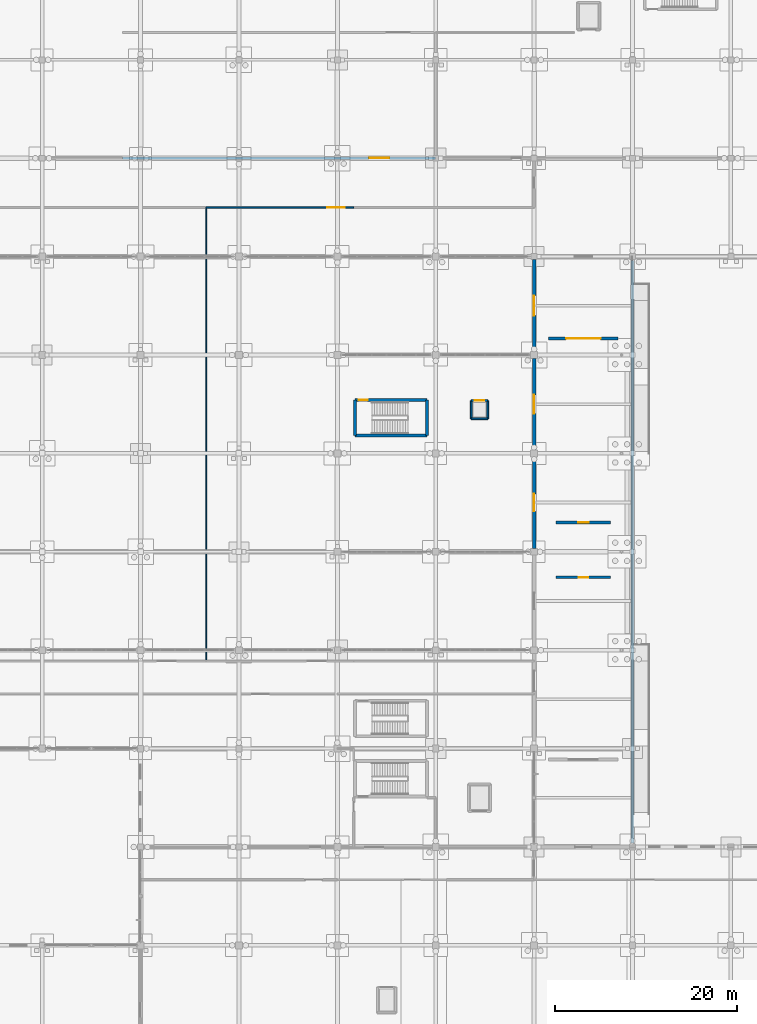
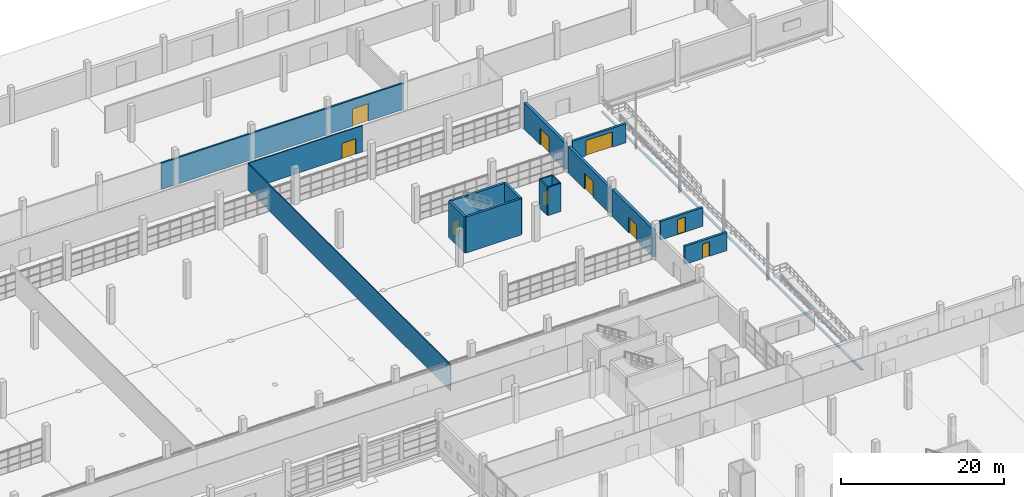
# One storey, part 113 of 138: 18 walls, 10 doors, 10 openings.
"""IFC4 building model written with IfcOpenShell, lengths in metres."""

from ifc_helpers import new_model, si_unit, direction, frame, frame_2d, origin, place, context, subcontext, project, spatial, rectangle, extrude, material, layer, layer_set, type_object, element, fill, save


model = new_model("IFC4")

# Units and contexts
model_context = context("Model", 3, precision=1e-05, world=origin(), true_north=direction((0.0, 1.0)))
body_context = subcontext(model_context, "Body", "Model", "MODEL_VIEW")
ifc_project = project(units=[si_unit("LENGTHUNIT", "METRE"), si_unit("AREAUNIT", "SQUARE_METRE"), si_unit("VOLUMEUNIT", "CUBIC_METRE"), si_unit("PLANEANGLEUNIT", "RADIAN"), si_unit("MASSUNIT", "GRAM", prefix="KILO")], contexts=[model_context])

# Site, building, storey
site_placement = place(None, origin())
site = spatial("IfcSite", under=ifc_project, at=site_placement, CompositionType="ELEMENT")
building_placement = place(site_placement, origin())
building = spatial("IfcBuilding", under=site, at=building_placement, Name="Zwinboog Wholesale Market", CompositionType="ELEMENT")
storey_placement = place(building_placement, origin())
storey = spatial("IfcBuildingStorey", under=building, at=storey_placement, Name="L00", CompositionType="ELEMENT", Elevation=0.0)

# Wall, opening, door
ifc_material_1 = material(Name="Precast concrete C45/55", Category="concrete")
ifc_layer_1 = layer(ifc_material_1, 0.3701171875)
ifc_layer_set_1 = layer_set([ifc_layer_1], Name="Precast concrete C45/55")
wall_type_1 = type_object("IfcWallType", Name="WT-EW-370", PredefinedType="STANDARD", material=ifc_layer_set_1)
wall_1_placement = place(storey_placement, frame((172.800048828125, 75.969970703125, 0.0), z_axis=(0.0, 0.0, 1.0), x_axis=(0.0, 1.0, 0.0)))
wall_1 = element("IfcWall", 1, at=wall_1_placement, inside=storey, type_object=wall_type_1, Name="EW-01 (WL-EW-L00-064)", PredefinedType="STANDARD", context=body_context, shape_type="SweptSolid", body=[
    extrude(rectangle(XDim=10.06005859375, YDim=0.3701171875, at=frame_2d((5.030029296875, 0.0))), origin(), (0.0, 0.0, 1.0), 3.947998046875),
])
opening_1_placement = place(wall_1_placement, frame((4.0, 0.0, 0.0)))
opening_1 = element("IfcOpeningElement", 2, at=opening_1_placement, cuts=wall_1, Name="Opening EX-14", PredefinedType="OPENING", context=body_context, shape_type="SweptSolid", body=[
    extrude(rectangle(XDim=2.06005859375, YDim=2.39990234375, at=frame_2d((1.030029296875, 1.199951171875))), frame((0.0, 0.195068359375, 0.0), z_axis=(0.0, -1.0, 0.0), x_axis=(1.0, 0.0, 0.0)), (0.0, 0.0, 1.0), 0.39013671875),
])
ifc_material_2 = material(Name="Insulated powder-coated steel and aluminium door", Category="steel")
door_type_1 = type_object("IfcDoorType", Name="EDT-EX-206", OperationType="DOUBLE_DOOR_SINGLE_SWING", PredefinedType="DOOR", material=ifc_material_2)
door_1_placement = place(opening_1_placement, frame((2.06005859375, 0.0, 0.0), z_axis=(0.0, 0.0, 1.0), x_axis=(-1.0, 0.0, 0.0)))
door_1 = element("IfcDoor", 3, at=door_1_placement, inside=storey, type_object=door_type_1, Name="Pedestrian Exit Door EX-14", OperationType="DOUBLE_DOOR_SINGLE_SWING", OverallHeight=2.39990234375, OverallWidth=2.06005859375, PredefinedType="DOOR", context=body_context, shape_type="SweptSolid", body=[
    extrude(rectangle(XDim=2.06005859375, YDim=2.39990234375, at=frame_2d((1.030029296875, 1.199951171875))), frame((0.0, 0.02490234375, 0.0), z_axis=(0.0, -1.0, 0.0), x_axis=(1.0, 0.0, 0.0)), (0.0, 0.0, 1.0), 0.050048828125),
])
fill(opening_1, door_1)

ifc_layer_2 = layer(ifc_material_1, 0.389892578125)
ifc_layer_set_2 = layer_set([ifc_layer_2], Name="Precast concrete C45/55")
wall_type_2 = type_object("IfcWallType", Name="WT-EW-390", PredefinedType="STANDARD", material=ifc_layer_set_2)
wall_2_placement = place(storey_placement, frame((172.800048828125, 65.169921875, 0.0), z_axis=(0.0, 0.0, 1.0), x_axis=(0.0, 1.0, 0.0)))
wall_2 = element("IfcWall", 4, at=wall_2_placement, inside=storey, type_object=wall_type_2, Name="EW-02 (WL-EW-L00-063)", PredefinedType="STANDARD", context=body_context, shape_type="SweptSolid", body=[
    extrude(rectangle(XDim=10.06005859375, YDim=0.389892578125, at=frame_2d((5.030029296875, 0.0))), origin(), (0.0, 0.0, 1.0), 4.097900390625),
])
opening_2_placement = place(wall_2_placement, frame((4.070068359375, 0.0, 0.0)))
opening_2 = element("IfcOpeningElement", 5, at=opening_2_placement, cuts=wall_2, Name="Opening EX-13", PredefinedType="OPENING", context=body_context, shape_type="SweptSolid", body=[
    extrude(rectangle(XDim=1.919921875, YDim=2.35009765625, at=frame_2d((0.9599609375, 1.175048828125))), frame((0.0, 0.204833984375, 0.0), z_axis=(0.0, -1.0, 0.0), x_axis=(1.0, 0.0, 0.0)), (0.0, 0.0, 1.0), 0.409912109375),
])
door_type_2 = type_object("IfcDoorType", Name="EDT-EX-192", OperationType="DOUBLE_DOOR_SINGLE_SWING", PredefinedType="DOOR", material=ifc_material_2)
door_2_placement = place(opening_2_placement, frame((1.919921875, 0.0, 0.0), z_axis=(0.0, 0.0, 1.0), x_axis=(-1.0, 0.0, 0.0)))
door_2 = element("IfcDoor", 6, at=door_2_placement, inside=storey, type_object=door_type_2, Name="Pedestrian Exit Door EX-13", OperationType="DOUBLE_DOOR_SINGLE_SWING", OverallHeight=2.35009765625, OverallWidth=1.919921875, PredefinedType="DOOR", context=body_context, shape_type="SweptSolid", body=[
    extrude(rectangle(XDim=1.919921875, YDim=2.35009765625, at=frame_2d((0.9599609375, 1.175048828125))), frame((0.0, 0.02490234375, 0.0), z_axis=(0.0, -1.0, 0.0), x_axis=(1.0, 0.0, 0.0)), (0.0, 0.0, 1.0), 0.050048828125),
])
fill(opening_2, door_2)

wall_3_placement = place(storey_placement, frame((172.800048828125, 86.77001953125, 0.0), z_axis=(0.0, 0.0, 1.0), x_axis=(0.0, 1.0, 0.0)))
wall_3 = element("IfcWall", 7, at=wall_3_placement, inside=storey, type_object=wall_type_2, Name="EW-02 (WL-EW-L00-065)", PredefinedType="STANDARD", context=body_context, shape_type="SweptSolid", body=[
    extrude(rectangle(XDim=10.10986328125, YDim=0.389892578125, at=frame_2d((5.054931640625, 0.0))), origin(), (0.0, 0.0, 1.0), 3.947998046875),
])
opening_3_placement = place(wall_3_placement, frame((3.955078125, 0.0, 0.0)))
opening_3 = element("IfcOpeningElement", 8, at=opening_3_placement, cuts=wall_3, Name="Opening EX-15", PredefinedType="OPENING", context=body_context, shape_type="SweptSolid", body=[
    extrude(rectangle(XDim=2.199951171875, YDim=2.47998046875, at=frame_2d((1.10009765625, 1.239990234375))), frame((0.0, 0.204833984375, 0.0), z_axis=(0.0, -1.0, 0.0), x_axis=(1.0, 0.0, 0.0)), (0.0, 0.0, 1.0), 0.409912109375),
])
door_type_3 = type_object("IfcDoorType", Name="EDT-EX-220", OperationType="DOUBLE_DOOR_SINGLE_SWING", PredefinedType="DOOR", material=ifc_material_2)
door_3_placement = place(opening_3_placement, frame((2.199951171875, 0.0, 0.0), z_axis=(0.0, 0.0, 1.0), x_axis=(-1.0, 0.0, 0.0)))
door_3 = element("IfcDoor", 9, at=door_3_placement, inside=storey, type_object=door_type_3, Name="Pedestrian Exit Door EX-15", OperationType="DOUBLE_DOOR_SINGLE_SWING", OverallHeight=2.47998046875, OverallWidth=2.199951171875, PredefinedType="DOOR", context=body_context, shape_type="SweptSolid", body=[
    extrude(rectangle(XDim=2.199951171875, YDim=2.47998046875, at=frame_2d((1.10009765625, 1.239990234375))), frame((0.0, 0.02490234375, 0.0), z_axis=(0.0, -1.0, 0.0), x_axis=(1.0, 0.0, 0.0)), (0.0, 0.0, 1.0), 0.050048828125),
])
fill(opening_3, door_3)

ifc_layer_3 = layer(ifc_material_1, 0.304931640625)
ifc_layer_set_3 = layer_set([ifc_layer_3], Name="Precast concrete C45/55")
wall_type_3 = type_object("IfcWallType", Name="WT-EW-305", PredefinedType="STANDARD", material=ifc_layer_set_3)
wall_4_placement = place(storey_placement, frame((174.39990234375, 88.199951171875, 0.0), z_axis=(0.0, 0.0, 1.0), x_axis=(1.0, 0.0, 0.0)))
wall_4 = element("IfcWall", 10, at=wall_4_placement, inside=storey, type_object=wall_type_3, Name="EW-07 (WL-YGT-05)", PredefinedType="STANDARD", context=body_context, shape_type="SweptSolid", body=[
    extrude(rectangle(XDim=7.60009765625, YDim=0.304931640625, at=frame_2d((3.800048828125, 0.0))), origin(), (0.0, 0.0, 1.0), 2.85009765625),
])
opening_4_placement = place(wall_4_placement, frame((1.89990234375, 0.0, 0.0)))
opening_4 = element("IfcOpeningElement", 11, at=opening_4_placement, cuts=wall_4, Name="Opening GT-05", PredefinedType="OPENING", context=body_context, shape_type="SweptSolid", body=[
    extrude(rectangle(XDim=3.800048828125, YDim=2.300048828125, at=frame_2d((1.89990234375, 1.14990234375))), frame((0.0, 0.162353515625, 0.0), z_axis=(0.0, -1.0, 0.0), x_axis=(1.0, 0.0, 0.0)), (0.0, 0.0, 1.0), 0.324951171875),
])
door_type_4 = type_object("IfcDoorType", Name="EDT-GT-380", OperationType="DOUBLE_DOOR_SINGLE_SWING", PredefinedType="GATE", material=ifc_material_2)
door_4_placement = place(opening_4_placement, origin())
door_4 = element("IfcDoor", 12, at=door_4_placement, inside=storey, type_object=door_type_4, Name="Forecourt North Gate GT-05", OperationType="DOUBLE_DOOR_SINGLE_SWING", OverallHeight=2.300048828125, OverallWidth=3.800048828125, PredefinedType="GATE", context=body_context, shape_type="SweptSolid", body=[
    extrude(rectangle(XDim=3.800048828125, YDim=2.300048828125, at=frame_2d((1.89990234375, 1.14990234375))), frame((0.0, 0.02490234375, 0.0), z_axis=(0.0, -1.0, 0.0), x_axis=(1.0, 0.0, 0.0)), (0.0, 0.0, 1.0), 0.050048828125),
])
fill(opening_4, door_4)

wall_5_placement = place(storey_placement, frame((175.199951171875, 62.0, 0.0), z_axis=(0.0, 0.0, 1.0), x_axis=(1.0, 0.0, 0.0)))
wall_5 = element("IfcWall", 13, at=wall_5_placement, inside=storey, type_object=wall_type_3, Name="EW-07 (WL-YGT-07)", PredefinedType="STANDARD", context=body_context, shape_type="SweptSolid", body=[
    extrude(rectangle(XDim=6.0, YDim=0.304931640625, at=frame_2d((3.0, 0.0))), origin(), (0.0, 0.0, 1.0), 2.72998046875),
])
opening_5_placement = place(wall_5_placement, frame((2.47998046875, 0.0, 0.0)))
opening_5 = element("IfcOpeningElement", 14, at=opening_5_placement, cuts=wall_5, Name="Opening SD-01", PredefinedType="OPENING", context=body_context, shape_type="SweptSolid", body=[
    extrude(rectangle(XDim=1.0400390625, YDim=2.179931640625, at=frame_2d((0.52001953125, 1.08984375))), frame((0.0, 0.162353515625, 0.0), z_axis=(0.0, -1.0, 0.0), x_axis=(1.0, 0.0, 0.0)), (0.0, 0.0, 1.0), 0.324951171875),
])
door_type_5 = type_object("IfcDoorType", Name="EDT-SG-104", OperationType="NOTDEFINED", PredefinedType="DOOR", material=ifc_material_2)
door_5_placement = place(opening_5_placement, origin())
door_5 = element("IfcDoor", 15, at=door_5_placement, inside=storey, type_object=door_type_5, Name="Canopy Security Kiosk Door SD-01", OperationType="SINGLE_SWING_LEFT", OverallHeight=2.179931640625, OverallWidth=1.0400390625, PredefinedType="DOOR", context=body_context, shape_type="SweptSolid", body=[
    extrude(rectangle(XDim=1.0400390625, YDim=2.179931640625, at=frame_2d((0.52001953125, 1.08984375))), frame((0.0, 0.02490234375, 0.0), z_axis=(0.0, -1.0, 0.0), x_axis=(1.0, 0.0, 0.0)), (0.0, 0.0, 1.0), 0.050048828125),
])
fill(opening_5, door_5)

wall_6_placement = place(storey_placement, frame((175.199951171875, 68.0, 0.0), z_axis=(0.0, 0.0, 1.0), x_axis=(1.0, 0.0, 0.0)))
wall_6 = element("IfcWall", 16, at=wall_6_placement, inside=storey, type_object=wall_type_3, Name="EW-07 (WL-YGT-08)", PredefinedType="STANDARD", context=body_context, shape_type="SweptSolid", body=[
    extrude(rectangle(XDim=6.0, YDim=0.304931640625, at=frame_2d((3.0, 0.0))), origin(), (0.0, 0.0, 1.0), 2.7900390625),
])
opening_6_placement = place(wall_6_placement, frame((2.419921875, 0.0, 0.0)))
opening_6 = element("IfcOpeningElement", 17, at=opening_6_placement, cuts=wall_6, Name="Opening SD-02", PredefinedType="OPENING", context=body_context, shape_type="SweptSolid", body=[
    extrude(rectangle(XDim=1.159912109375, YDim=2.239990234375, at=frame_2d((0.580078125, 1.1201171875))), frame((0.0, 0.162353515625, 0.0), z_axis=(0.0, -1.0, 0.0), x_axis=(1.0, 0.0, 0.0)), (0.0, 0.0, 1.0), 0.324951171875),
])
door_type_6 = type_object("IfcDoorType", Name="EDT-SG-116", OperationType="NOTDEFINED", PredefinedType="DOOR", material=ifc_material_2)
door_6_placement = place(opening_6_placement, origin())
door_6 = element("IfcDoor", 18, at=door_6_placement, inside=storey, type_object=door_type_6, Name="Market Marshal Post Door SD-02", OperationType="SINGLE_SWING_LEFT", OverallHeight=2.239990234375, OverallWidth=1.159912109375, PredefinedType="DOOR", context=body_context, shape_type="SweptSolid", body=[
    extrude(rectangle(XDim=1.159912109375, YDim=2.239990234375, at=frame_2d((0.580078125, 1.1201171875))), frame((0.0, 0.02490234375, 0.0), z_axis=(0.0, -1.0, 0.0), x_axis=(1.0, 0.0, 0.0)), (0.0, 0.0, 1.0), 0.050048828125),
])
fill(opening_6, door_6)

# Walls
ifc_material_3 = material(Name="Concrete C40/50", Category="concrete")
ifc_layer_4 = layer(ifc_material_3, 0.333984375)
ifc_layer_set_4 = layer_set([ifc_layer_4], Name="Concrete C40/50")
wall_type_4 = type_object("IfcWallType", Name="WT-RW-334", PredefinedType="USERDEFINED", material=ifc_layer_set_4)
wall_7_placement = place(storey_placement, frame((183.60009765625, 32.85009765625, -1.199951171875), z_axis=(0.0, 0.0, 1.0), x_axis=(0.0, 1.0, 0.0)))
element("IfcWall", 19, at=wall_7_placement, inside=storey, type_object=wall_type_4, Name="RW-01 (WL-RET-07)", ObjectType="RETAININGWALL", PredefinedType="USERDEFINED", context=body_context, shape_type="SweptSolid", body=[
    extrude(rectangle(XDim=63.89990234375, YDim=0.333984375, at=frame_2d((31.949951171875, 0.0))), origin(), (0.0, 0.0, 1.0), 0.139892578125),
])
ifc_layer_5 = layer(ifc_material_3, 0.320068359375)
ifc_layer_set_5 = layer_set([ifc_layer_5], Name="Concrete C40/50")
wall_type_5 = type_object("IfcWallType", Name="WT-SW-320", PredefinedType="SHEAR", material=ifc_layer_set_5)
wall_8_placement = place(storey_placement, frame((153.14990234375, 77.550048828125, 0.0), z_axis=(0.0, 0.0, 1.0), x_axis=(1.0, 0.0, 0.0)))
element("IfcWall", 20, at=wall_8_placement, inside=storey, type_object=wall_type_5, Name="SW-03 (WL-SW-L00-049)", PredefinedType="SHEAR", context=body_context, shape_type="SweptSolid", body=[
    extrude(rectangle(XDim=7.900146484375, YDim=0.320068359375, at=frame_2d((3.9501953125, 0.0))), origin(), (0.0, 0.0, 1.0), 5.39990234375),
])

# Wall, opening, door
wall_9_placement = place(storey_placement, frame((153.14990234375, 81.449951171875, 0.0), z_axis=(0.0, 0.0, 1.0), x_axis=(1.0, 0.0, 0.0)))
wall_9 = element("IfcWall", 21, at=wall_9_placement, inside=storey, type_object=wall_type_5, Name="SW-03 (WL-SW-L00-050)", PredefinedType="SHEAR", context=body_context, shape_type="SweptSolid", body=[
    extrude(rectangle(XDim=7.900146484375, YDim=0.320068359375, at=frame_2d((3.9501953125, 0.0))), origin(), (0.0, 0.0, 1.0), 5.39990234375),
])
opening_7_placement = place(wall_9_placement, frame((0.3798828125, 0.0, 0.0)))
opening_7 = element("IfcOpeningElement", 22, at=opening_7_placement, cuts=wall_9, Name="Opening FD-0013", PredefinedType="OPENING", context=body_context, shape_type="SweptSolid", body=[
    extrude(rectangle(XDim=1.0, YDim=2.14990234375, at=frame_2d((0.5, 1.074951171875))), frame((0.0, 0.169921875, 0.0), z_axis=(0.0, -1.0, 0.0), x_axis=(1.0, 0.0, 0.0)), (0.0, 0.0, 1.0), 0.340087890625),
])
ifc_material_4 = material(Name="Timber and powder-coated steel door leaf", Category="steel")
door_type_7 = type_object("IfcDoorType", Name="IDT-FD-01", OperationType="NOTDEFINED", PredefinedType="DOOR", material=ifc_material_4)
door_7_placement = place(opening_7_placement, frame((1.0, 0.0, 0.0), z_axis=(0.0, 0.0, 1.0), x_axis=(-1.0, 0.0, 0.0)))
door_7 = element("IfcDoor", 23, at=door_7_placement, inside=storey, type_object=door_type_7, Name="Core Fire Door FD-0013", OperationType="SINGLE_SWING_RIGHT", OverallHeight=2.14990234375, OverallWidth=1.0, PredefinedType="DOOR", context=body_context, shape_type="SweptSolid", body=[
    extrude(rectangle(XDim=1.0, YDim=2.14990234375, at=frame_2d((0.5, 1.074951171875))), frame((0.0, 0.02490234375, 0.0), z_axis=(0.0, -1.0, 0.0), x_axis=(1.0, 0.0, 0.0)), (0.0, 0.0, 1.0), 0.050048828125),
])
fill(opening_7, door_7)

# Walls
for number, where, z_axis, x_axis, name in (
    (24, (153.14990234375, 77.550048828125, 0.0), (0.0, 0.0, 1.0), (0.0, 1.0, 0.0), "SW-03 (WL-SW-L00-051)"),
    (25, (161.050048828125, 77.550048828125, 0.0), (0.0, 0.0, 1.0), (0.0, 1.0, 0.0), "SW-03 (WL-SW-L00-052)"),
):
    element("IfcWall", number, at=place(storey_placement, frame(where, z_axis=z_axis, x_axis=x_axis)), inside=storey, type_object=wall_type_5, Name=name, PredefinedType="SHEAR", context=body_context, shape_type="SweptSolid", body=[
        extrude(rectangle(XDim=3.89990234375, YDim=0.320068359375, at=frame_2d((1.949951171875, 0.0))), origin(), (0.0, 0.0, 1.0), 5.39990234375),
    ])
ifc_layer_6 = layer(ifc_material_1, 0.199951171875)
ifc_layer_set_6 = layer_set([ifc_layer_6], Name="Precast concrete C45/55")
wall_type_6 = type_object("IfcWallType", Name="WT-IW-200", PredefinedType="SOLIDWALL", material=ifc_layer_set_6)
wall_10_placement = place(storey_placement, frame((165.89990234375, 79.39990234375, 0.0), z_axis=(0.0, 0.0, 1.0), x_axis=(1.0, 0.0, 0.0)))
element("IfcWall", 26, at=wall_10_placement, inside=storey, type_object=wall_type_6, Name="IW-60 (WL-LSH-L00-193)", PredefinedType="SOLIDWALL", context=body_context, shape_type="SweptSolid", body=[
    extrude(rectangle(XDim=1.800048828125, YDim=0.199951171875, at=frame_2d((0.89990234375, 0.0))), origin(), (0.0, 0.0, 1.0), 4.219970703125),
])

# Wall, opening, door
wall_11_placement = place(storey_placement, frame((165.89990234375, 81.39990234375, 0.0), z_axis=(0.0, 0.0, 1.0), x_axis=(1.0, 0.0, 0.0)))
wall_11 = element("IfcWall", 27, at=wall_11_placement, inside=storey, type_object=wall_type_6, Name="IW-60 (WL-LSH-L00-194)", PredefinedType="SOLIDWALL", context=body_context, shape_type="SweptSolid", body=[
    extrude(rectangle(XDim=1.800048828125, YDim=0.199951171875, at=frame_2d((0.89990234375, 0.0))), origin(), (0.0, 0.0, 1.0), 4.219970703125),
])
opening_8_placement = place(wall_11_placement, frame((0.39990234375, 0.0, 0.0)))
opening_8 = element("IfcOpeningElement", 28, at=opening_8_placement, cuts=wall_11, Name="Opening LD-007", PredefinedType="OPENING", context=body_context, shape_type="SweptSolid", body=[
    extrude(rectangle(XDim=1.0, YDim=2.14990234375, at=frame_2d((0.5, 1.074951171875))), frame((0.0, 0.10986328125, 0.0), z_axis=(0.0, -1.0, 0.0), x_axis=(1.0, 0.0, 0.0)), (0.0, 0.0, 1.0), 0.219970703125),
])
door_type_8 = type_object("IfcDoorType", Name="IDT-LD-100", OperationType="DOUBLE_DOOR_SLIDING", PredefinedType="DOOR", material=ifc_material_4)
door_8_placement = place(opening_8_placement, origin())
door_8 = element("IfcDoor", 29, at=door_8_placement, inside=storey, type_object=door_type_8, Name="Lift Landing Door LD-007 (LP-04)", OperationType="DOUBLE_DOOR_SLIDING", OverallHeight=2.14990234375, OverallWidth=1.0, PredefinedType="DOOR", context=body_context, shape_type="SweptSolid", body=[
    extrude(rectangle(XDim=1.0, YDim=2.14990234375, at=frame_2d((0.5, 1.074951171875))), frame((0.0, 0.02490234375, 0.0), z_axis=(0.0, -1.0, 0.0), x_axis=(1.0, 0.0, 0.0)), (0.0, 0.0, 1.0), 0.050048828125),
])
fill(opening_8, door_8)

# Walls
for number, where, z_axis, x_axis, name in (
    (30, (165.89990234375, 79.39990234375, 0.0), (0.0, 0.0, 1.0), (0.0, 1.0, 0.0), "IW-60 (WL-LSH-L00-195)"),
    (31, (167.699951171875, 79.39990234375, 0.0), (0.0, 0.0, 1.0), (0.0, 1.0, 0.0), "IW-60 (WL-LSH-L00-196)"),
):
    element("IfcWall", number, at=place(storey_placement, frame(where, z_axis=z_axis, x_axis=x_axis)), inside=storey, type_object=wall_type_6, Name=name, PredefinedType="SOLIDWALL", context=body_context, shape_type="SweptSolid", body=[
        extrude(rectangle(XDim=2.0, YDim=0.199951171875, at=frame_2d((1.0, 0.0))), origin(), (0.0, 0.0, 1.0), 4.219970703125),
    ])

# Wall, opening, door
ifc_layer_7 = layer(ifc_material_1, 0.235107421875)
ifc_layer_set_7 = layer_set([ifc_layer_7], Name="Precast concrete C45/55")
wall_type_7 = type_object("IfcWallType", Name="WT-IW-235", PredefinedType="PARTITIONING", material=ifc_layer_set_7)
wall_12_placement = place(storey_placement, frame((127.60009765625, 108.0, 0.0), z_axis=(0.0, 0.0, 1.0), x_axis=(1.0, 0.0, 0.0)))
wall_12 = element("IfcWall", 32, at=wall_12_placement, inside=storey, type_object=wall_type_7, Name="IW-03 (WL-IN-L00-0027)", PredefinedType="PARTITIONING", context=body_context, shape_type="SweptSolid", body=[
    extrude(rectangle(XDim=34.39990234375, YDim=0.235107421875, at=frame_2d((17.199951171875, 0.0))), origin(), (0.0, 0.0, 1.0), 3.949951171875),
])
opening_9_placement = place(wall_12_placement, frame((27.097900390625, 0.0, 0.0)))
opening_9 = element("IfcOpeningElement", 33, at=opening_9_placement, cuts=wall_12, Name="Opening IDF-0026", PredefinedType="OPENING", context=body_context, shape_type="SweptSolid", body=[
    extrude(rectangle(XDim=2.219970703125, YDim=2.60009765625, at=frame_2d((1.10986328125, 1.300048828125))), frame((0.0, 0.12744140625, 0.0), z_axis=(0.0, -1.0, 0.0), x_axis=(1.0, 0.0, 0.0)), (0.0, 0.0, 1.0), 0.255126953125),
])
door_type_9 = type_object("IfcDoorType", Name="IDT-CS-02", OperationType="SLIDING_TO_RIGHT", PredefinedType="DOOR", material=ifc_material_4)
door_9_placement = place(opening_9_placement, origin())
door_9 = element("IfcDoor", 34, at=door_9_placement, inside=storey, type_object=door_type_9, Name="Interior Door IDF-0026", OperationType="SLIDING_TO_RIGHT", OverallHeight=2.60009765625, OverallWidth=2.219970703125, PredefinedType="DOOR", context=body_context, shape_type="SweptSolid", body=[
    extrude(rectangle(XDim=2.219970703125, YDim=2.60009765625, at=frame_2d((1.10986328125, 1.300048828125))), frame((0.0, 0.02490234375, 0.0), z_axis=(0.0, -1.0, 0.0), x_axis=(1.0, 0.0, 0.0)), (0.0, 0.0, 1.0), 0.050048828125),
])
fill(opening_9, door_9)

# Wall
ifc_material_5 = material(Name="Gypsum acoustic stud partition")
ifc_layer_8 = layer(ifc_material_5, 0.1240234375)
ifc_layer_set_8 = layer_set([ifc_layer_8], Name="Gypsum acoustic stud partition")
wall_type_8 = type_object("IfcWallType", Name="WT-PT-124", PredefinedType="PARTITIONING", material=ifc_layer_set_8)
wall_13_placement = place(storey_placement, frame((136.800048828125, 52.800048828125, 0.0), z_axis=(0.0, 0.0, 1.0), x_axis=(0.0, 1.0, 0.0)))
element("IfcWall", 35, at=wall_13_placement, inside=storey, type_object=wall_type_8, Name="PW-02 (WL-IN-L00-0086)", PredefinedType="PARTITIONING", context=body_context, shape_type="SweptSolid", body=[
    extrude(rectangle(XDim=49.800048828125, YDim=0.1240234375, at=frame_2d((24.89990234375, 0.0))), origin(), (0.0, 0.0, 1.0), 3.947998046875),
])

# Wall, opening, door
ifc_material_6 = material(Name="Fire-rated corridor stud partition")
ifc_layer_9 = layer(ifc_material_6, 0.154052734375)
ifc_layer_set_9 = layer_set([ifc_layer_9], Name="Fire-rated corridor stud partition")
wall_type_9 = type_object("IfcWallType", Name="WT-PT-154", PredefinedType="PARTITIONING", material=ifc_layer_set_9)
wall_14_placement = place(storey_placement, frame((136.800048828125, 102.60009765625, 0.0), z_axis=(0.0, 0.0, 1.0), x_axis=(1.0, 0.0, 0.0)))
wall_14 = element("IfcWall", 36, at=wall_14_placement, inside=storey, type_object=wall_type_9, Name="PW-04 (WL-IN-L00-0033)", PredefinedType="PARTITIONING", context=body_context, shape_type="SweptSolid", body=[
    extrude(rectangle(XDim=16.199951171875, YDim=0.154052734375, at=frame_2d((8.10009765625, 0.0))), origin(), (0.0, 0.0, 1.0), 3.949951171875),
])
opening_10_placement = place(wall_14_placement, frame((13.27587890625, 0.0, 0.0)))
opening_10 = element("IfcOpeningElement", 37, at=opening_10_placement, cuts=wall_14, Name="Opening IDF-0030", PredefinedType="OPENING", context=body_context, shape_type="SweptSolid", body=[
    extrude(rectangle(XDim=1.9599609375, YDim=2.300048828125, at=frame_2d((0.97998046875, 1.14990234375))), frame((0.0, 0.0869140625, 0.0), z_axis=(0.0, -1.0, 0.0), x_axis=(1.0, 0.0, 0.0)), (0.0, 0.0, 1.0), 0.174072265625),
])
door_type_10 = type_object("IfcDoorType", Name="IDT-FD-05", OperationType="DOUBLE_DOOR_SINGLE_SWING", PredefinedType="DOOR", material=ifc_material_4)
door_10_placement = place(opening_10_placement, frame((1.9599609375, 0.0, 0.0), z_axis=(0.0, 0.0, 1.0), x_axis=(-1.0, 0.0, 0.0)))
door_10 = element("IfcDoor", 38, at=door_10_placement, inside=storey, type_object=door_type_10, Name="Interior Door IDF-0030", OperationType="DOUBLE_DOOR_SINGLE_SWING", OverallHeight=2.300048828125, OverallWidth=1.9599609375, PredefinedType="DOOR", context=body_context, shape_type="SweptSolid", body=[
    extrude(rectangle(XDim=1.9599609375, YDim=2.300048828125, at=frame_2d((0.97998046875, 1.14990234375))), frame((0.0, 0.02490234375, 0.0), z_axis=(0.0, -1.0, 0.0), x_axis=(1.0, 0.0, 0.0)), (0.0, 0.0, 1.0), 0.050048828125),
])
fill(opening_10, door_10)

save(model, "model.ifc")
